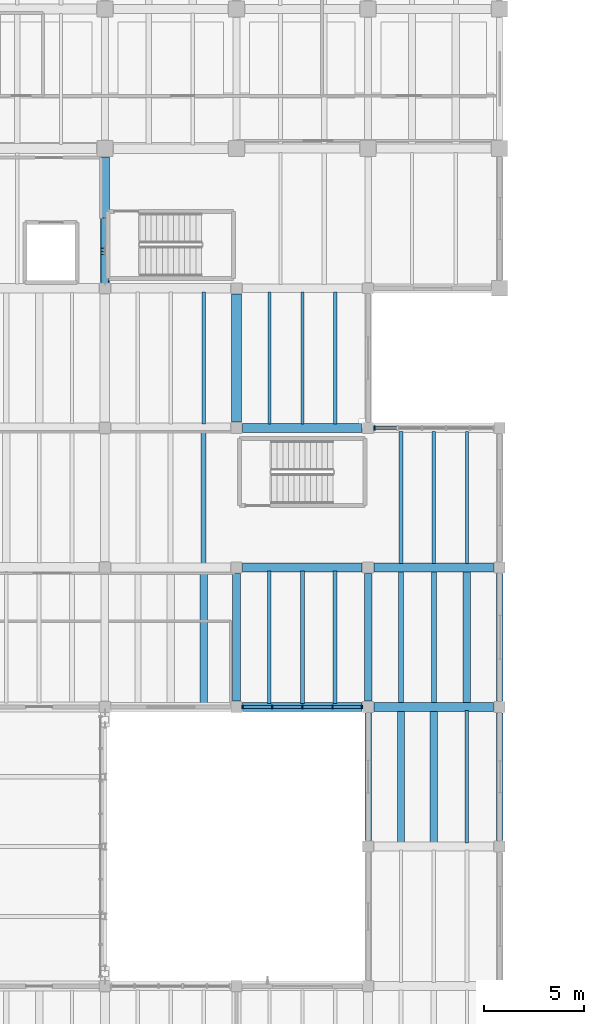
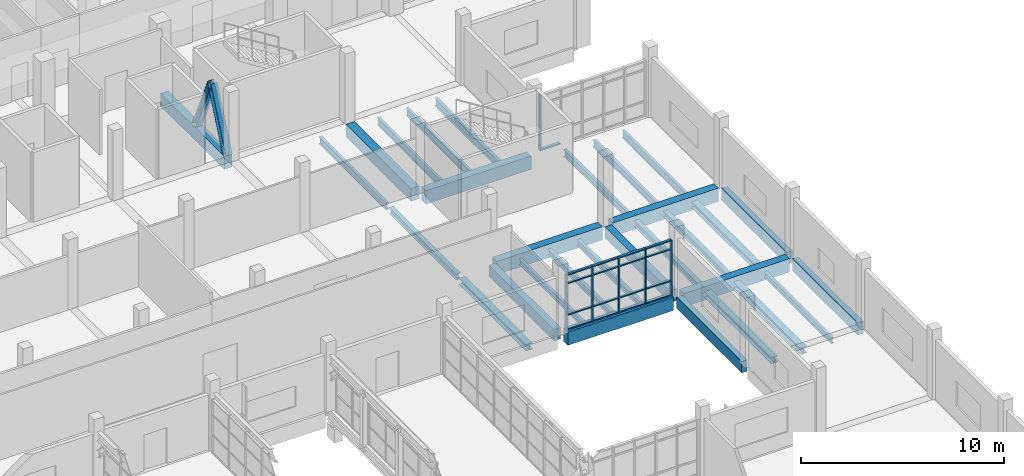
# One storey, part 30 of 67: 30 beams, 25 members, 2 elements without a shape of their own.
"""IFC4 building model written with IfcOpenShell, lengths in metres."""

from ifc_helpers import new_model, si_unit, direction, frame, origin, origin_2d, place, context, subcontext, project, spatial, rectangle, i_section, extrude, material, material_profile, profile_set, type_object, element, aggregate, save


model = new_model("IFC4")

# Units and contexts
model_context = context("Model", 3, precision=1e-05, world=origin(), true_north=direction((0.0, 1.0)))
body_context = subcontext(model_context, "Body", "Model", "MODEL_VIEW")
ifc_project = project(units=[si_unit("LENGTHUNIT", "METRE"), si_unit("AREAUNIT", "SQUARE_METRE"), si_unit("VOLUMEUNIT", "CUBIC_METRE"), si_unit("PLANEANGLEUNIT", "RADIAN"), si_unit("MASSUNIT", "GRAM", prefix="KILO")], contexts=[model_context])

# Site, building, storey
site_placement = place(None, origin())
site = spatial("IfcSite", under=ifc_project, at=site_placement, CompositionType="ELEMENT")
building_placement = place(site_placement, origin())
building = spatial("IfcBuilding", under=site, at=building_placement, Name="Ciguamira Faculty of Natural Sciences", CompositionType="ELEMENT")
storey_placement = place(building_placement, frame((0.0, 0.0, 8.39990234375)))
storey = spatial("IfcBuildingStorey", under=building, at=storey_placement, Name="L02", CompositionType="ELEMENT", Elevation=8.39990234375)

# Curtain wall, members
ifc_material_1 = material(Name="Anodized aluminium curtain wall", Category="aluminium")
curtain_wall_type_1 = type_object("IfcCurtainWallType", Name="CurtainWall_CW-08", PredefinedType="USERDEFINED", material=ifc_material_1)
curtain_wall_1_placement = place(storey_placement, origin())
curtain_wall_1 = element("IfcCurtainWall", 1, at=curtain_wall_1_placement, inside=storey, type_object=curtain_wall_type_1, Name="L02 unitised curtain wall 0068", ObjectType="UNITISED CURTAIN WALL", PredefinedType="USERDEFINED")
ifc_material_2 = material(Name="Anodized aluminium mullion", Category="aluminium")
ifc_material_profile_1 = material_profile(ifc_material_2, rectangle(XDim=0.070068359375, YDim=0.179931640625, at=origin_2d()), Name="ALU-MUL-70X180")
ifc_profile_set_1 = profile_set([ifc_material_profile_1], Name="Anodized aluminium mullion")
member_type_1 = type_object("IfcMemberType", Name="CWMullion_CWM-02", PredefinedType="MULLION", material=ifc_profile_set_1)
member_1_placement = place(storey_placement, frame((103.81005859375, 73.0, 0.0), z_axis=(0.0, 0.0, 1.0), x_axis=(1.0, 0.0, 0.0)))
member_1 = element("IfcMember", 2, at=member_1_placement, type_object=member_type_1, Name="CW-08 mullion 1", PredefinedType="MULLION", context=body_context, shape_type="SweptSolid", body=[
    extrude(rectangle(XDim=0.070068359375, YDim=0.179931640625, at=origin_2d()), origin(), (0.0, 0.0, 1.0), 3.34521484375),
])
member_2_placement = place(storey_placement, frame((105.28759765625, 73.0, 0.0), z_axis=(0.0, 0.0, 1.0), x_axis=(1.0, 0.0, 0.0)))
member_2 = element("IfcMember", 3, at=member_2_placement, type_object=member_type_1, Name="CW-08 mullion 2", PredefinedType="MULLION", context=body_context, shape_type="SweptSolid", body=[
    extrude(rectangle(XDim=0.070068359375, YDim=0.179931640625, at=origin_2d()), origin(), (0.0, 0.0, 1.0), 3.34521484375),
])
member_3_placement = place(storey_placement, frame((106.800048828125, 73.0, 0.0), z_axis=(0.0, 0.0, 1.0), x_axis=(1.0, 0.0, 0.0)))
member_3 = element("IfcMember", 4, at=member_3_placement, type_object=member_type_1, Name="CW-08 mullion 3", PredefinedType="MULLION", context=body_context, shape_type="SweptSolid", body=[
    extrude(rectangle(XDim=0.070068359375, YDim=0.179931640625, at=origin_2d()), origin(), (0.0, 0.0, 1.0), 3.34521484375),
])
member_4_placement = place(storey_placement, frame((108.3125, 73.0, 0.0), z_axis=(0.0, 0.0, 1.0), x_axis=(1.0, 0.0, 0.0)))
member_4 = element("IfcMember", 5, at=member_4_placement, type_object=member_type_1, Name="CW-08 mullion 4", PredefinedType="MULLION", context=body_context, shape_type="SweptSolid", body=[
    extrude(rectangle(XDim=0.070068359375, YDim=0.179931640625, at=origin_2d()), origin(), (0.0, 0.0, 1.0), 3.34521484375),
])
member_5_placement = place(storey_placement, frame((109.7900390625, 73.0, 0.0), z_axis=(0.0, 0.0, 1.0), x_axis=(1.0, 0.0, 0.0)))
member_5 = element("IfcMember", 6, at=member_5_placement, type_object=member_type_1, Name="CW-08 mullion 5", PredefinedType="MULLION", context=body_context, shape_type="SweptSolid", body=[
    extrude(rectangle(XDim=0.070068359375, YDim=0.179931640625, at=origin_2d()), origin(), (0.0, 0.0, 1.0), 3.34521484375),
])

# Curtain wall, member
curtain_wall_type_2 = type_object("IfcCurtainWallType", Name="CurtainWall_CW-09", PredefinedType="USERDEFINED", material=ifc_material_1)
curtain_wall_2_placement = place(storey_placement, origin())
curtain_wall_2 = element("IfcCurtainWall", 7, at=curtain_wall_2_placement, inside=storey, type_object=curtain_wall_type_2, Name="L02 unitised curtain wall 0069", ObjectType="UNITISED CURTAIN WALL", PredefinedType="USERDEFINED")
ifc_material_profile_2 = material_profile(ifc_material_2, rectangle(XDim=0.080078125, YDim=0.219970703125, at=origin_2d()), Name="ALU-MUL-80X220")
ifc_profile_set_2 = profile_set([ifc_material_profile_2], Name="Anodized aluminium mullion")
member_type_2 = type_object("IfcMemberType", Name="CWMullion_CWM-03", PredefinedType="MULLION", material=ifc_profile_set_2)
member_6_placement = place(storey_placement, frame((110.4150390625, 87.0, 0.0), z_axis=(0.0, 0.0, 1.0), x_axis=(1.0, 0.0, 0.0)))
member_6 = element("IfcMember", 8, at=member_6_placement, type_object=member_type_2, Name="CW-09 mullion 1", PredefinedType="MULLION", context=body_context, shape_type="SweptSolid", body=[
    extrude(rectangle(XDim=0.080078125, YDim=0.219970703125, at=origin_2d()), origin(), (0.0, 0.0, 1.0), 3.34521484375),
])

# Member
ifc_material_3 = material(Name="Anodized aluminium transom", Category="aluminium")
ifc_material_profile_3 = material_profile(ifc_material_3, rectangle(XDim=0.070068359375, YDim=0.139892578125, at=origin_2d()), Name="ALU-TRN-70X140")
ifc_profile_set_3 = profile_set([ifc_material_profile_3], Name="Anodized aluminium transom")
member_type_3 = type_object("IfcMemberType", Name="CWTransom_CWT-02", PredefinedType="USERDEFINED", material=ifc_profile_set_3)
member_7_placement = place(storey_placement, frame((103.844970703125, 73.0, 0.03515625), z_axis=(1.0, 0.0, 0.0), x_axis=(0.0, 0.0, 1.0)))
member_7 = element("IfcMember", 9, at=member_7_placement, type_object=member_type_3, Name="CW-08 transom 1.1", ObjectType="TRANSOM", PredefinedType="USERDEFINED", context=body_context, shape_type="SweptSolid", body=[
    extrude(rectangle(XDim=0.070068359375, YDim=0.139892578125, at=origin_2d()), origin(), (0.0, 0.0, 1.0), 1.407470703125),
])

member_8_placement = place(storey_placement, frame((103.844970703125, 73.0, 0.900146484375), z_axis=(1.0, 0.0, 0.0), x_axis=(0.0, 0.0, 1.0)))
member_8 = element("IfcMember", 10, at=member_8_placement, type_object=member_type_3, Name="CW-08 transom 1.2", ObjectType="TRANSOM", PredefinedType="USERDEFINED", context=body_context, shape_type="SweptSolid", body=[
    extrude(rectangle(XDim=0.070068359375, YDim=0.139892578125, at=origin_2d()), origin(), (0.0, 0.0, 1.0), 1.407470703125),
])

member_9_placement = place(storey_placement, frame((103.844970703125, 73.0, 2.795166015625), z_axis=(1.0, 0.0, 0.0), x_axis=(0.0, 0.0, 1.0)))
member_9 = element("IfcMember", 11, at=member_9_placement, type_object=member_type_3, Name="CW-08 transom 1.3", ObjectType="TRANSOM", PredefinedType="USERDEFINED", context=body_context, shape_type="SweptSolid", body=[
    extrude(rectangle(XDim=0.070068359375, YDim=0.139892578125, at=origin_2d()), origin(), (0.0, 0.0, 1.0), 1.407470703125),
])

member_10_placement = place(storey_placement, frame((103.844970703125, 73.0, 3.31005859375), z_axis=(1.0, 0.0, 0.0), x_axis=(0.0, 0.0, 1.0)))
member_10 = element("IfcMember", 12, at=member_10_placement, type_object=member_type_3, Name="CW-08 transom 1.4", ObjectType="TRANSOM", PredefinedType="USERDEFINED", context=body_context, shape_type="SweptSolid", body=[
    extrude(rectangle(XDim=0.070068359375, YDim=0.139892578125, at=origin_2d()), origin(), (0.0, 0.0, 1.0), 1.407470703125),
])

member_11_placement = place(storey_placement, frame((105.322509765625, 73.0, 0.03515625), z_axis=(1.0, 0.0, 0.0), x_axis=(0.0, 0.0, 1.0)))
member_11 = element("IfcMember", 13, at=member_11_placement, type_object=member_type_3, Name="CW-08 transom 2.1", ObjectType="TRANSOM", PredefinedType="USERDEFINED", context=body_context, shape_type="SweptSolid", body=[
    extrude(rectangle(XDim=0.070068359375, YDim=0.139892578125, at=origin_2d()), origin(), (0.0, 0.0, 1.0), 1.4423828125),
])

member_12_placement = place(storey_placement, frame((105.322509765625, 73.0, 0.900146484375), z_axis=(1.0, 0.0, 0.0), x_axis=(0.0, 0.0, 1.0)))
member_12 = element("IfcMember", 14, at=member_12_placement, type_object=member_type_3, Name="CW-08 transom 2.2", ObjectType="TRANSOM", PredefinedType="USERDEFINED", context=body_context, shape_type="SweptSolid", body=[
    extrude(rectangle(XDim=0.070068359375, YDim=0.139892578125, at=origin_2d()), origin(), (0.0, 0.0, 1.0), 1.4423828125),
])

member_13_placement = place(storey_placement, frame((105.322509765625, 73.0, 2.795166015625), z_axis=(1.0, 0.0, 0.0), x_axis=(0.0, 0.0, 1.0)))
member_13 = element("IfcMember", 15, at=member_13_placement, type_object=member_type_3, Name="CW-08 transom 2.3", ObjectType="TRANSOM", PredefinedType="USERDEFINED", context=body_context, shape_type="SweptSolid", body=[
    extrude(rectangle(XDim=0.070068359375, YDim=0.139892578125, at=origin_2d()), origin(), (0.0, 0.0, 1.0), 1.4423828125),
])

member_14_placement = place(storey_placement, frame((105.322509765625, 73.0, 3.31005859375), z_axis=(1.0, 0.0, 0.0), x_axis=(0.0, 0.0, 1.0)))
member_14 = element("IfcMember", 16, at=member_14_placement, type_object=member_type_3, Name="CW-08 transom 2.4", ObjectType="TRANSOM", PredefinedType="USERDEFINED", context=body_context, shape_type="SweptSolid", body=[
    extrude(rectangle(XDim=0.070068359375, YDim=0.139892578125, at=origin_2d()), origin(), (0.0, 0.0, 1.0), 1.4423828125),
])

member_15_placement = place(storey_placement, frame((106.8349609375, 73.0, 0.03515625), z_axis=(1.0, 0.0, 0.0), x_axis=(0.0, 0.0, 1.0)))
member_15 = element("IfcMember", 17, at=member_15_placement, type_object=member_type_3, Name="CW-08 transom 3.1", ObjectType="TRANSOM", PredefinedType="USERDEFINED", context=body_context, shape_type="SweptSolid", body=[
    extrude(rectangle(XDim=0.070068359375, YDim=0.139892578125, at=origin_2d()), origin(), (0.0, 0.0, 1.0), 1.442626953125),
])

member_16_placement = place(storey_placement, frame((106.8349609375, 73.0, 0.900146484375), z_axis=(1.0, 0.0, 0.0), x_axis=(0.0, 0.0, 1.0)))
member_16 = element("IfcMember", 18, at=member_16_placement, type_object=member_type_3, Name="CW-08 transom 3.2", ObjectType="TRANSOM", PredefinedType="USERDEFINED", context=body_context, shape_type="SweptSolid", body=[
    extrude(rectangle(XDim=0.070068359375, YDim=0.139892578125, at=origin_2d()), origin(), (0.0, 0.0, 1.0), 1.442626953125),
])

member_17_placement = place(storey_placement, frame((106.8349609375, 73.0, 2.795166015625), z_axis=(1.0, 0.0, 0.0), x_axis=(0.0, 0.0, 1.0)))
member_17 = element("IfcMember", 19, at=member_17_placement, type_object=member_type_3, Name="CW-08 transom 3.3", ObjectType="TRANSOM", PredefinedType="USERDEFINED", context=body_context, shape_type="SweptSolid", body=[
    extrude(rectangle(XDim=0.070068359375, YDim=0.139892578125, at=origin_2d()), origin(), (0.0, 0.0, 1.0), 1.442626953125),
])

member_18_placement = place(storey_placement, frame((106.8349609375, 73.0, 3.31005859375), z_axis=(1.0, 0.0, 0.0), x_axis=(0.0, 0.0, 1.0)))
member_18 = element("IfcMember", 20, at=member_18_placement, type_object=member_type_3, Name="CW-08 transom 3.4", ObjectType="TRANSOM", PredefinedType="USERDEFINED", context=body_context, shape_type="SweptSolid", body=[
    extrude(rectangle(XDim=0.070068359375, YDim=0.139892578125, at=origin_2d()), origin(), (0.0, 0.0, 1.0), 1.442626953125),
])

member_19_placement = place(storey_placement, frame((108.347412109375, 73.0, 0.03515625), z_axis=(1.0, 0.0, 0.0), x_axis=(0.0, 0.0, 1.0)))
member_19 = element("IfcMember", 21, at=member_19_placement, type_object=member_type_3, Name="CW-08 transom 4.1", ObjectType="TRANSOM", PredefinedType="USERDEFINED", context=body_context, shape_type="SweptSolid", body=[
    extrude(rectangle(XDim=0.070068359375, YDim=0.139892578125, at=origin_2d()), origin(), (0.0, 0.0, 1.0), 1.407470703125),
])

member_20_placement = place(storey_placement, frame((108.347412109375, 73.0, 0.900146484375), z_axis=(1.0, 0.0, 0.0), x_axis=(0.0, 0.0, 1.0)))
member_20 = element("IfcMember", 22, at=member_20_placement, type_object=member_type_3, Name="CW-08 transom 4.2", ObjectType="TRANSOM", PredefinedType="USERDEFINED", context=body_context, shape_type="SweptSolid", body=[
    extrude(rectangle(XDim=0.070068359375, YDim=0.139892578125, at=origin_2d()), origin(), (0.0, 0.0, 1.0), 1.407470703125),
])

member_21_placement = place(storey_placement, frame((108.347412109375, 73.0, 2.795166015625), z_axis=(1.0, 0.0, 0.0), x_axis=(0.0, 0.0, 1.0)))
member_21 = element("IfcMember", 23, at=member_21_placement, type_object=member_type_3, Name="CW-08 transom 4.3", ObjectType="TRANSOM", PredefinedType="USERDEFINED", context=body_context, shape_type="SweptSolid", body=[
    extrude(rectangle(XDim=0.070068359375, YDim=0.139892578125, at=origin_2d()), origin(), (0.0, 0.0, 1.0), 1.407470703125),
])

member_22_placement = place(storey_placement, frame((108.347412109375, 73.0, 3.31005859375), z_axis=(1.0, 0.0, 0.0), x_axis=(0.0, 0.0, 1.0)))
member_22 = element("IfcMember", 24, at=member_22_placement, type_object=member_type_3, Name="CW-08 transom 4.4", ObjectType="TRANSOM", PredefinedType="USERDEFINED", context=body_context, shape_type="SweptSolid", body=[
    extrude(rectangle(XDim=0.070068359375, YDim=0.139892578125, at=origin_2d()), origin(), (0.0, 0.0, 1.0), 1.407470703125),
])

aggregate(curtain_wall_1, [member_1, member_2, member_3, member_4, member_5, member_7, member_8, member_9, member_10, member_11, member_12, member_13, member_14, member_15, member_16, member_17, member_18, member_19, member_20, member_21, member_22])

ifc_material_profile_4 = material_profile(ifc_material_3, rectangle(XDim=0.080078125, YDim=0.159912109375, at=origin_2d()), Name="ALU-TRN-80X160")
ifc_profile_set_4 = profile_set([ifc_material_profile_4], Name="Anodized aluminium transom")
member_type_4 = type_object("IfcMemberType", Name="CWTransom_CWT-03", PredefinedType="USERDEFINED", material=ifc_profile_set_4)
member_23_placement = place(storey_placement, frame((110.455078125, 87.0, 0.0400390625), z_axis=(1.0, 0.0, 0.0), x_axis=(0.0, 0.0, 1.0)))
member_23 = element("IfcMember", 25, at=member_23_placement, type_object=member_type_4, Name="CW-09 transom 1.1", ObjectType="TRANSOM", PredefinedType="USERDEFINED", context=body_context, shape_type="SweptSolid", body=[
    extrude(rectangle(XDim=0.080078125, YDim=0.159912109375, at=origin_2d()), origin(), (0.0, 0.0, 1.0), 1.08984375),
])

aggregate(curtain_wall_2, [member_6, member_23])

# Beams
ifc_material_4 = material(Name="Concrete C40/50", Category="concrete")
ifc_material_profile_5 = material_profile(ifc_material_4, rectangle(XDim=0.449951171875, YDim=0.800048828125, at=origin_2d()), Name="RC-BM-450X800")
ifc_profile_set_5 = profile_set([ifc_material_profile_5], Name="Concrete C40/50")
beam_type_1 = type_object("IfcBeamType", Name="RCBeam_BG-05_RC-BM-450X800", PredefinedType="BEAM", material=ifc_profile_set_5)
for number, where, z_axis, x_axis, name in (
    (26, (103.800048828125, 73.0, -0.39990234375), (1.0, 0.0, 0.0), (0.0, 1.0, 0.0), "L02 RC girder EW-0819"),
    (27, (110.39990234375, 73.0, -0.39990234375), (1.0, 0.0, 0.0), (0.0, 1.0, 0.0), "L02 RC girder EW-0820"),
    (28, (103.800048828125, 80.0, -0.39990234375), (1.0, 0.0, 0.0), (0.0, 1.0, 0.0), "L02 RC girder EW-0828"),
    (29, (110.39990234375, 80.0, -0.39990234375), (1.0, 0.0, 0.0), (0.0, 1.0, 0.0), "L02 RC girder EW-0829"),
    (30, (103.800048828125, 87.0, -0.39990234375), (1.0, 0.0, 0.0), (0.0, 1.0, 0.0), "L02 RC girder EW-0837"),
):
    element("IfcBeam", number, at=place(storey_placement, frame(where, z_axis=z_axis, x_axis=x_axis)), inside=storey, type_object=beam_type_1, Name=name, PredefinedType="BEAM", context=body_context, shape_type="SweptSolid", body=[
        extrude(rectangle(XDim=0.449951171875, YDim=0.800048828125, at=origin_2d()), origin(), (0.0, 0.0, 1.0), 6.0),
    ])
ifc_material_profile_6 = material_profile(ifc_material_4, rectangle(XDim=0.43994140625, YDim=0.780029296875, at=origin_2d()), Name="RC-BM-440X780")
ifc_profile_set_6 = profile_set([ifc_material_profile_6], Name="Concrete C40/50")
beam_type_2 = type_object("IfcBeamType", Name="RCBeam_BG-06_RC-BM-440X780", PredefinedType="BEAM", material=ifc_profile_set_6)
beam_1_placement = place(storey_placement, frame((96.89990234375, 94.300048828125, -0.389892578125), z_axis=(0.0, 1.0, 0.0), x_axis=(-1.0, 0.0, 0.0)))
element("IfcBeam", 31, at=beam_1_placement, inside=storey, type_object=beam_type_2, Name="L02 core-end brace tie girder 96", PredefinedType="BEAM", context=body_context, shape_type="SweptSolid", body=[
    extrude(rectangle(XDim=0.43994140625, YDim=0.780029296875, at=origin_2d()), origin(), (0.0, 0.0, 1.0), 6.27490234375),
])
ifc_material_profile_7 = material_profile(ifc_material_4, rectangle(XDim=0.3798828125, YDim=0.679931640625, at=origin_2d()), Name="RC-BM-380X680")
ifc_profile_set_7 = profile_set([ifc_material_profile_7], Name="Concrete C40/50")
beam_type_3 = type_object("IfcBeamType", Name="RCBeam_BG-09_RC-BM-380X680", PredefinedType="BEAM", material=ifc_profile_set_7)
for number, where, z_axis, x_axis, name in (
    (32, (103.5, 73.300048828125, -0.33984375), (0.0, 1.0, 0.0), (-1.0, 0.0, 0.0), "L02 girder NS-0982"),
    (33, (110.10009765625, 73.300048828125, -0.33984375), (0.0, 1.0, 0.0), (-1.0, 0.0, 0.0), "L02 girder NS-0994"),
):
    element("IfcBeam", number, at=place(storey_placement, frame(where, z_axis=z_axis, x_axis=x_axis)), inside=storey, type_object=beam_type_3, Name=name, PredefinedType="BEAM", context=body_context, shape_type="SweptSolid", body=[
        extrude(rectangle(XDim=0.3798828125, YDim=0.679931640625, at=origin_2d()), origin(), (0.0, 0.0, 1.0), 6.39990234375),
    ])
ifc_material_5 = material(Name="Precast concrete C40/50", Category="concrete")
ifc_material_profile_8 = material_profile(ifc_material_5, rectangle(XDim=0.320068359375, YDim=0.679931640625, at=origin_2d()), Name="RC-SP-320X680")
ifc_profile_set_8 = profile_set([ifc_material_profile_8], Name="Precast concrete C40/50")
beam_type_4 = type_object("IfcBeamType", Name="RCBeam_SP-02_RC-SP-320X680", PredefinedType="SPANDREL", material=ifc_profile_set_8)
beam_2_placement = place(storey_placement, frame((110.10009765625, 66.300048828125, -0.33984375), z_axis=(0.0, 1.0, 0.0), x_axis=(-1.0, 0.0, 0.0)))
element("IfcBeam", 34, at=beam_2_placement, inside=storey, type_object=beam_type_4, Name="L02 girder NS-0993", PredefinedType="SPANDREL", context=body_context, shape_type="SweptSolid", body=[
    extrude(rectangle(XDim=0.320068359375, YDim=0.679931640625, at=origin_2d()), origin(), (0.0, 0.0, 1.0), 6.39990234375),
])
ifc_material_profile_9 = material_profile(ifc_material_5, rectangle(XDim=0.340087890625, YDim=0.719970703125, at=origin_2d()), Name="RC-SP-340X720")
ifc_profile_set_9 = profile_set([ifc_material_profile_9], Name="Precast concrete C40/50")
beam_type_5 = type_object("IfcBeamType", Name="RCBeam_SP-03_RC-SP-340X720", PredefinedType="SPANDREL", material=ifc_profile_set_9)
for number, where, z_axis, x_axis, name in (
    (35, (116.699951171875, 66.300048828125, -0.35986328125), (0.0, 1.0, 0.0), (-1.0, 0.0, 0.0), "L02 girder NS-1005"),
    (36, (116.699951171875, 73.300048828125, -0.35986328125), (0.0, 1.0, 0.0), (-1.0, 0.0, 0.0), "L02 girder NS-1006"),
):
    element("IfcBeam", number, at=place(storey_placement, frame(where, z_axis=z_axis, x_axis=x_axis)), inside=storey, type_object=beam_type_5, Name=name, PredefinedType="SPANDREL", context=body_context, shape_type="SweptSolid", body=[
        extrude(rectangle(XDim=0.340087890625, YDim=0.719970703125, at=origin_2d()), origin(), (0.0, 0.0, 1.0), 6.39990234375),
    ])
ifc_material_profile_10 = material_profile(ifc_material_4, rectangle(XDim=0.47998046875, YDim=0.760009765625, at=origin_2d()), Name="RC-TB-480X760")
ifc_profile_set_10 = profile_set([ifc_material_profile_10], Name="Concrete C40/50")
beam_type_6 = type_object("IfcBeamType", Name="RCBeam_TB-01_RC-TB-480X760", PredefinedType="T_BEAM", material=ifc_profile_set_10)
beam_3_placement = place(storey_placement, frame((103.5, 87.300048828125, -0.3798828125), z_axis=(0.0, 1.0, 0.0), x_axis=(-1.0, 0.0, 0.0)))
element("IfcBeam", 37, at=beam_3_placement, inside=storey, type_object=beam_type_6, Name="L02 girder NS-0983", PredefinedType="T_BEAM", context=body_context, shape_type="SweptSolid", body=[
    extrude(rectangle(XDim=0.47998046875, YDim=0.760009765625, at=origin_2d()), origin(), (0.0, 0.0, 1.0), 6.39990234375),
])
ifc_material_6 = material(Name="Steel ASTM A992 Grade 50", Category="steel")
ifc_material_profile_11 = material_profile(ifc_material_6, i_section(OverallWidth=0.370849609375, OverallDepth=0.36328125, WebThickness=0.013427734375, FlangeThickness=0.021728515625, at=origin_2d()), Name="W14X109")
ifc_profile_set_11 = profile_set([ifc_material_profile_11], Name="Steel ASTM A992 Grade 50")
beam_type_7 = type_object("IfcBeamType", Name="SteelJoist_SJ-09_W14X109", PredefinedType="JOIST", material=ifc_profile_set_11)
beam_4_placement = place(storey_placement, frame((111.75, 66.18505859375, -0.46142578125), z_axis=(0.0, 1.0, 0.0), x_axis=(-1.0, 0.0, 0.0)))
element("IfcBeam", 38, at=beam_4_placement, inside=storey, type_object=beam_type_7, Name="L02 composite steel joist 00934", PredefinedType="JOIST", context=body_context, shape_type="SweptSolid", body=[
    extrude(i_section(OverallWidth=0.370849609375, OverallDepth=0.36328125, WebThickness=0.013427734375, FlangeThickness=0.021728515625, at=origin_2d()), origin(), (0.0, 0.0, 1.0), 6.6298828125),
])
ifc_material_profile_12 = material_profile(ifc_material_6, i_section(OverallWidth=0.373291015625, OverallDepth=0.373291015625, WebThickness=0.016357421875, FlangeThickness=0.026123046875, at=origin_2d()), Name="W14X132")
ifc_profile_set_12 = profile_set([ifc_material_profile_12], Name="Steel ASTM A992 Grade 50")
beam_type_8 = type_object("IfcBeamType", Name="SteelJoist_SJ-10_W14X132", PredefinedType="JOIST", material=ifc_profile_set_12)
beam_5_placement = place(storey_placement, frame((101.85009765625, 73.18994140625, -0.466552734375), z_axis=(0.0, 1.0, 0.0), x_axis=(-1.0, 0.0, 0.0)))
element("IfcBeam", 39, at=beam_5_placement, inside=storey, type_object=beam_type_8, Name="L02 composite steel joist 00881", PredefinedType="JOIST", context=body_context, shape_type="SweptSolid", body=[
    extrude(i_section(OverallWidth=0.373291015625, OverallDepth=0.373291015625, WebThickness=0.016357421875, FlangeThickness=0.026123046875, at=origin_2d()), origin(), (0.0, 0.0, 1.0), 6.6201171875),
])
beam_6_placement = place(storey_placement, frame((113.39990234375, 66.18505859375, -0.466552734375), z_axis=(0.0, 1.0, 0.0), x_axis=(-1.0, 0.0, 0.0)))
element("IfcBeam", 40, at=beam_6_placement, inside=storey, type_object=beam_type_8, Name="L02 composite steel joist 00935", PredefinedType="JOIST", context=body_context, shape_type="SweptSolid", body=[
    extrude(i_section(OverallWidth=0.373291015625, OverallDepth=0.373291015625, WebThickness=0.016357421875, FlangeThickness=0.026123046875, at=origin_2d()), origin(), (0.0, 0.0, 1.0), 6.6298828125),
])
ifc_material_profile_13 = material_profile(ifc_material_6, i_section(OverallWidth=0.1708984375, OverallDepth=0.3505859375, WebThickness=0.0068359375, FlangeThickness=0.009765625, at=origin_2d()), Name="W14X30")
ifc_profile_set_13 = profile_set([ifc_material_profile_13], Name="Steel ASTM A992 Grade 50")
beam_type_9 = type_object("IfcBeamType", Name="SteelJoist_SJ-11_W14X30", PredefinedType="JOIST", material=ifc_profile_set_13)
for number, where, z_axis, x_axis, name in (
    (41, (105.14990234375, 73.18505859375, -0.455322265625), (0.0, 1.0, 0.0), (-1.0, 0.0, 0.0), "L02 composite steel joist 00907"),
    (42, (115.050048828125, 66.18505859375, -0.455322265625), (0.0, 1.0, 0.0), (-1.0, 0.0, 0.0), "L02 composite steel joist 00936"),
):
    element("IfcBeam", number, at=place(storey_placement, frame(where, z_axis=z_axis, x_axis=x_axis)), inside=storey, type_object=beam_type_9, Name=name, PredefinedType="JOIST", context=body_context, shape_type="SweptSolid", body=[
        extrude(i_section(OverallWidth=0.1708984375, OverallDepth=0.3505859375, WebThickness=0.0068359375, FlangeThickness=0.009765625, at=origin_2d()), origin(), (0.0, 0.0, 1.0), 6.6298828125),
    ])
ifc_material_profile_14 = material_profile(ifc_material_6, i_section(OverallWidth=0.203125, OverallDepth=0.347900390625, WebThickness=0.0078125, FlangeThickness=0.013427734375, at=origin_2d()), Name="W14X43")
ifc_profile_set_14 = profile_set([ifc_material_profile_14], Name="Steel ASTM A992 Grade 50")
beam_type_10 = type_object("IfcBeamType", Name="SteelJoist_SJ-12_W14X43", PredefinedType="JOIST", material=ifc_profile_set_14)
beam_7_placement = place(storey_placement, frame((106.800048828125, 73.18505859375, -0.453857421875), z_axis=(0.0, 1.0, 0.0), x_axis=(-1.0, 0.0, 0.0)))
element("IfcBeam", 43, at=beam_7_placement, inside=storey, type_object=beam_type_10, Name="L02 composite steel joist 00908", PredefinedType="JOIST", context=body_context, shape_type="SweptSolid", body=[
    extrude(i_section(OverallWidth=0.203125, OverallDepth=0.347900390625, WebThickness=0.0078125, FlangeThickness=0.013427734375, at=origin_2d()), origin(), (0.0, 0.0, 1.0), 6.6298828125),
])
ifc_material_profile_15 = material_profile(ifc_material_6, i_section(OverallWidth=0.204833984375, OverallDepth=0.35302734375, WebThickness=0.00927734375, FlangeThickness=0.016845703125, at=origin_2d()), Name="W14X53")
ifc_profile_set_15 = profile_set([ifc_material_profile_15], Name="Steel ASTM A992 Grade 50")
beam_type_11 = type_object("IfcBeamType", Name="SteelJoist_SJ-13_W14X53", PredefinedType="JOIST", material=ifc_profile_set_15)
beam_8_placement = place(storey_placement, frame((108.449951171875, 73.18505859375, -0.456298828125), z_axis=(0.0, 1.0, 0.0), x_axis=(-1.0, 0.0, 0.0)))
element("IfcBeam", 44, at=beam_8_placement, inside=storey, type_object=beam_type_11, Name="L02 composite steel joist 00909", PredefinedType="JOIST", context=body_context, shape_type="SweptSolid", body=[
    extrude(i_section(OverallWidth=0.204833984375, OverallDepth=0.35302734375, WebThickness=0.00927734375, FlangeThickness=0.016845703125, at=origin_2d()), origin(), (0.0, 0.0, 1.0), 6.6298828125),
])
ifc_material_profile_16 = material_profile(ifc_material_6, i_section(OverallWidth=0.25390625, OverallDepth=0.355712890625, WebThickness=0.010498046875, FlangeThickness=0.018310546875, at=origin_2d()), Name="W14X68")
ifc_profile_set_16 = profile_set([ifc_material_profile_16], Name="Steel ASTM A992 Grade 50")
beam_type_12 = type_object("IfcBeamType", Name="SteelJoist_SJ-14_W14X68", PredefinedType="JOIST", material=ifc_profile_set_16)
beam_9_placement = place(storey_placement, frame((111.75, 73.18505859375, -0.457763671875), z_axis=(0.0, 1.0, 0.0), x_axis=(-1.0, 0.0, 0.0)))
element("IfcBeam", 45, at=beam_9_placement, inside=storey, type_object=beam_type_12, Name="L02 composite steel joist 00937", PredefinedType="JOIST", context=body_context, shape_type="SweptSolid", body=[
    extrude(i_section(OverallWidth=0.25390625, OverallDepth=0.355712890625, WebThickness=0.010498046875, FlangeThickness=0.018310546875, at=origin_2d()), origin(), (0.0, 0.0, 1.0), 6.6298828125),
])
ifc_material_profile_17 = material_profile(ifc_material_6, i_section(OverallWidth=0.256591796875, OverallDepth=0.36328125, WebThickness=0.012939453125, FlangeThickness=0.021728515625, at=origin_2d()), Name="W14X82")
ifc_profile_set_17 = profile_set([ifc_material_profile_17], Name="Steel ASTM A992 Grade 50")
beam_type_13 = type_object("IfcBeamType", Name="SteelJoist_SJ-15_W14X82", PredefinedType="JOIST", material=ifc_profile_set_17)
beam_10_placement = place(storey_placement, frame((101.85009765625, 80.18994140625, -0.46142578125), z_axis=(0.0, 1.0, 0.0), x_axis=(-1.0, 0.0, 0.0)))
element("IfcBeam", 46, at=beam_10_placement, inside=storey, type_object=beam_type_13, Name="L02 composite steel joist 00884", PredefinedType="JOIST", context=body_context, shape_type="SweptSolid", body=[
    extrude(i_section(OverallWidth=0.256591796875, OverallDepth=0.36328125, WebThickness=0.012939453125, FlangeThickness=0.021728515625, at=origin_2d()), origin(), (0.0, 0.0, 1.0), 6.6201171875),
])
beam_11_placement = place(storey_placement, frame((113.39990234375, 73.18505859375, -0.46142578125), z_axis=(0.0, 1.0, 0.0), x_axis=(-1.0, 0.0, 0.0)))
element("IfcBeam", 47, at=beam_11_placement, inside=storey, type_object=beam_type_13, Name="L02 composite steel joist 00938", PredefinedType="JOIST", context=body_context, shape_type="SweptSolid", body=[
    extrude(i_section(OverallWidth=0.256591796875, OverallDepth=0.36328125, WebThickness=0.012939453125, FlangeThickness=0.021728515625, at=origin_2d()), origin(), (0.0, 0.0, 1.0), 6.6298828125),
])
ifc_material_profile_18 = material_profile(ifc_material_6, i_section(OverallWidth=0.368408203125, OverallDepth=0.355712890625, WebThickness=0.01123046875, FlangeThickness=0.01806640625, at=origin_2d()), Name="W14X90")
ifc_profile_set_18 = profile_set([ifc_material_profile_18], Name="Steel ASTM A992 Grade 50")
beam_type_14 = type_object("IfcBeamType", Name="SteelJoist_SJ-16_W14X90", PredefinedType="JOIST", material=ifc_profile_set_18)
beam_12_placement = place(storey_placement, frame((115.050048828125, 73.18505859375, -0.457763671875), z_axis=(0.0, 1.0, 0.0), x_axis=(-1.0, 0.0, 0.0)))
element("IfcBeam", 48, at=beam_12_placement, inside=storey, type_object=beam_type_14, Name="L02 composite steel joist 00939", PredefinedType="JOIST", context=body_context, shape_type="SweptSolid", body=[
    extrude(i_section(OverallWidth=0.368408203125, OverallDepth=0.355712890625, WebThickness=0.01123046875, FlangeThickness=0.01806640625, at=origin_2d()), origin(), (0.0, 0.0, 1.0), 6.6298828125),
])
ifc_material_profile_19 = material_profile(ifc_material_6, i_section(OverallWidth=0.1787109375, OverallDepth=0.408935546875, WebThickness=0.0087890625, FlangeThickness=0.014404296875, at=origin_2d()), Name="W16X45")
ifc_profile_set_19 = profile_set([ifc_material_profile_19], Name="Steel ASTM A992 Grade 50")
beam_type_15 = type_object("IfcBeamType", Name="SteelJoist_SJ-19_W16X45", PredefinedType="JOIST", material=ifc_profile_set_19)
beam_13_placement = place(storey_placement, frame((111.75, 80.18505859375, -0.484375), z_axis=(0.0, 1.0, 0.0), x_axis=(-1.0, 0.0, 0.0)))
element("IfcBeam", 49, at=beam_13_placement, inside=storey, type_object=beam_type_15, Name="L02 composite steel joist 00940", PredefinedType="JOIST", context=body_context, shape_type="SweptSolid", body=[
    extrude(i_section(OverallWidth=0.1787109375, OverallDepth=0.408935546875, WebThickness=0.0087890625, FlangeThickness=0.014404296875, at=origin_2d()), origin(), (0.0, 0.0, 1.0), 6.6298828125),
])
ifc_material_profile_20 = material_profile(ifc_material_6, i_section(OverallWidth=0.180908203125, OverallDepth=0.41650390625, WebThickness=0.010986328125, FlangeThickness=0.01806640625, at=origin_2d()), Name="W16X57")
ifc_profile_set_20 = profile_set([ifc_material_profile_20], Name="Steel ASTM A992 Grade 50")
beam_type_16 = type_object("IfcBeamType", Name="SteelJoist_SJ-20_W16X57", PredefinedType="JOIST", material=ifc_profile_set_20)
beam_14_placement = place(storey_placement, frame((101.85009765625, 87.18994140625, -0.48828125), z_axis=(0.0, 1.0, 0.0), x_axis=(-1.0, 0.0, 0.0)))
element("IfcBeam", 50, at=beam_14_placement, inside=storey, type_object=beam_type_16, Name="L02 composite steel joist 00887", PredefinedType="JOIST", context=body_context, shape_type="SweptSolid", body=[
    extrude(i_section(OverallWidth=0.180908203125, OverallDepth=0.41650390625, WebThickness=0.010986328125, FlangeThickness=0.01806640625, at=origin_2d()), origin(), (0.0, 0.0, 1.0), 6.6201171875),
])
beam_15_placement = place(storey_placement, frame((113.39990234375, 80.18505859375, -0.48828125), z_axis=(0.0, 1.0, 0.0), x_axis=(-1.0, 0.0, 0.0)))
element("IfcBeam", 51, at=beam_15_placement, inside=storey, type_object=beam_type_16, Name="L02 composite steel joist 00941", PredefinedType="JOIST", context=body_context, shape_type="SweptSolid", body=[
    extrude(i_section(OverallWidth=0.180908203125, OverallDepth=0.41650390625, WebThickness=0.010986328125, FlangeThickness=0.01806640625, at=origin_2d()), origin(), (0.0, 0.0, 1.0), 6.6298828125),
])
ifc_material_profile_21 = material_profile(ifc_material_6, i_section(OverallWidth=0.15234375, OverallDepth=0.449462890625, WebThickness=0.007568359375, FlangeThickness=0.0107421875, at=origin_2d()), Name="W18X35")
ifc_profile_set_21 = profile_set([ifc_material_profile_21], Name="Steel ASTM A992 Grade 50")
beam_type_17 = type_object("IfcBeamType", Name="SteelJoist_SJ-21_W18X35", PredefinedType="JOIST", material=ifc_profile_set_21)
for number, where, z_axis, x_axis, name in (
    (52, (105.14990234375, 87.18505859375, -0.504638671875), (0.0, 1.0, 0.0), (-1.0, 0.0, 0.0), "L02 composite steel joist 00910"),
    (53, (115.050048828125, 80.18505859375, -0.504638671875), (0.0, 1.0, 0.0), (-1.0, 0.0, 0.0), "L02 composite steel joist 00942"),
):
    element("IfcBeam", number, at=place(storey_placement, frame(where, z_axis=z_axis, x_axis=x_axis)), inside=storey, type_object=beam_type_17, Name=name, PredefinedType="JOIST", context=body_context, shape_type="SweptSolid", body=[
        extrude(i_section(OverallWidth=0.15234375, OverallDepth=0.449462890625, WebThickness=0.007568359375, FlangeThickness=0.0107421875, at=origin_2d()), origin(), (0.0, 0.0, 1.0), 6.6298828125),
    ])
ifc_material_profile_22 = material_profile(ifc_material_6, i_section(OverallWidth=0.15283203125, OverallDepth=0.45458984375, WebThickness=0.008056640625, FlangeThickness=0.013427734375, at=origin_2d()), Name="W18X40")
ifc_profile_set_22 = profile_set([ifc_material_profile_22], Name="Steel ASTM A992 Grade 50")
beam_type_18 = type_object("IfcBeamType", Name="SteelJoist_SJ-22_W18X40", PredefinedType="JOIST", material=ifc_profile_set_22)
beam_16_placement = place(storey_placement, frame((106.800048828125, 87.18505859375, -0.50732421875), z_axis=(0.0, 1.0, 0.0), x_axis=(-1.0, 0.0, 0.0)))
element("IfcBeam", 54, at=beam_16_placement, inside=storey, type_object=beam_type_18, Name="L02 composite steel joist 00911", PredefinedType="JOIST", context=body_context, shape_type="SweptSolid", body=[
    extrude(i_section(OverallWidth=0.15283203125, OverallDepth=0.45458984375, WebThickness=0.008056640625, FlangeThickness=0.013427734375, at=origin_2d()), origin(), (0.0, 0.0, 1.0), 6.6298828125),
])
ifc_material_profile_23 = material_profile(ifc_material_6, i_section(OverallWidth=0.1904296875, OverallDepth=0.457275390625, WebThickness=0.009033203125, FlangeThickness=0.014404296875, at=origin_2d()), Name="W18X50")
ifc_profile_set_23 = profile_set([ifc_material_profile_23], Name="Steel ASTM A992 Grade 50")
beam_type_19 = type_object("IfcBeamType", Name="SteelJoist_SJ-23_W18X50", PredefinedType="JOIST", material=ifc_profile_set_23)
beam_17_placement = place(storey_placement, frame((108.449951171875, 87.18505859375, -0.508544921875), z_axis=(0.0, 1.0, 0.0), x_axis=(-1.0, 0.0, 0.0)))
element("IfcBeam", 55, at=beam_17_placement, inside=storey, type_object=beam_type_19, Name="L02 composite steel joist 00912", PredefinedType="JOIST", context=body_context, shape_type="SweptSolid", body=[
    extrude(i_section(OverallWidth=0.1904296875, OverallDepth=0.457275390625, WebThickness=0.009033203125, FlangeThickness=0.014404296875, at=origin_2d()), origin(), (0.0, 0.0, 1.0), 6.6298828125),
])

# Members
ifc_material_profile_24 = material_profile(ifc_material_6, i_section(OverallWidth=0.368408203125, OverallDepth=0.355712890625, WebThickness=0.01123046875, FlangeThickness=0.01806640625, at=origin_2d()), Name="W14X90")
ifc_profile_set_24 = profile_set([ifc_material_profile_24], Name="Steel ASTM A992 Grade 50")
member_type_5 = type_object("IfcMemberType", Name="SteelMember_BR-01_W14X90", PredefinedType="BRACE", material=ifc_profile_set_24)
for number, where, z_axis, x_axis, name in (
    (56, (96.89990234375, 94.35009765625, 0.0), (0.0, 0.401645143601, 0.915795380323), (-1.0, 0.0, 0.0), "L02 lateral chevron brace 015"),
    (57, (96.89990234375, 97.35009765625, 0.0), (0.0, -0.401645143601, 0.915795380323), (1.0, 0.0, 0.0), "L02 lateral chevron brace 016"),
):
    element("IfcMember", number, at=place(storey_placement, frame(where, z_axis=z_axis, x_axis=x_axis)), inside=storey, type_object=member_type_5, Name=name, PredefinedType="BRACE", context=body_context, shape_type="SweptSolid", body=[
        extrude(i_section(OverallWidth=0.368408203125, OverallDepth=0.355712890625, WebThickness=0.01123046875, FlangeThickness=0.01806640625, at=origin_2d()), origin(), (0.0, 0.0, 1.0), 3.734619140625),
    ])

save(model, "model.ifc")
